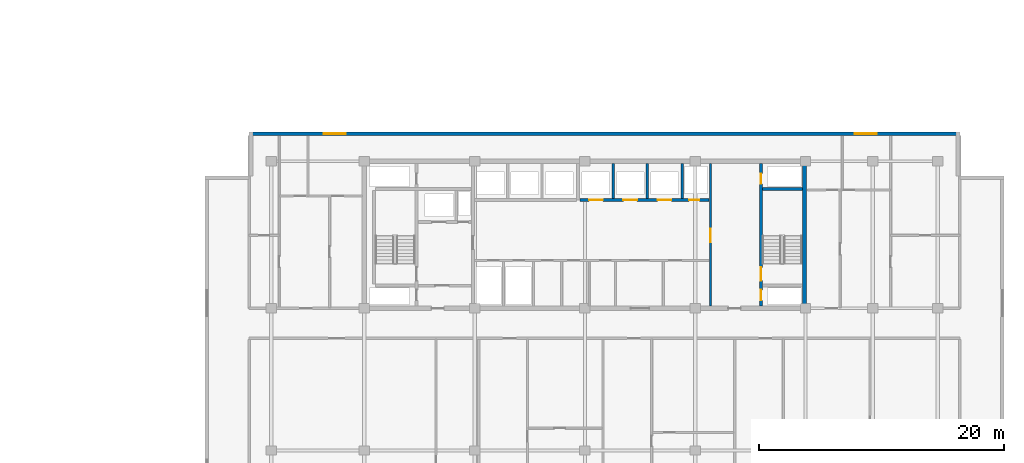
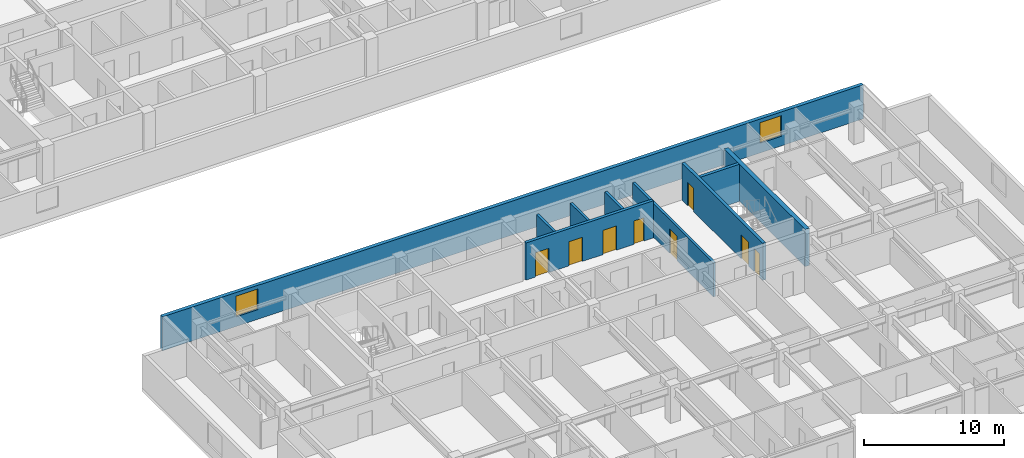
# One storey, part 7 of 21: 9 walls, 8 doors, 2 windows, 10 openings.
"""IFC4 building model written with IfcOpenShell, lengths in metres."""

from ifc_helpers import new_model, si_unit, direction, frame, frame_2d, origin, place, context, subcontext, project, spatial, rectangle, extrude, material, layer, layer_set, type_object, element, fill, save


model = new_model("IFC4")

# Units and contexts
model_context = context("Model", 3, precision=1e-05, world=origin(), true_north=direction((0.0, 1.0)))
body_context = subcontext(model_context, "Body", "Model", "MODEL_VIEW")
ifc_project = project(units=[si_unit("LENGTHUNIT", "METRE"), si_unit("AREAUNIT", "SQUARE_METRE"), si_unit("VOLUMEUNIT", "CUBIC_METRE"), si_unit("PLANEANGLEUNIT", "RADIAN"), si_unit("MASSUNIT", "GRAM", prefix="KILO")], contexts=[model_context])

# Site, building, storey
site_placement = place(None, origin())
site = spatial("IfcSite", under=ifc_project, at=site_placement, CompositionType="ELEMENT")
building_placement = place(site_placement, origin())
building = spatial("IfcBuilding", under=site, at=building_placement, Name="Korimba Cascade Residences", CompositionType="ELEMENT")
storey_placement = place(building_placement, frame((0.0, 0.0, 97.050048828125)))
storey = spatial("IfcBuildingStorey", under=building, at=storey_placement, Name="L27", CompositionType="ELEMENT", Elevation=97.050048828125)

# Wall, openings, windows
ifc_material_1 = material(Name="Precast concrete C40/50", Category="concrete")
ifc_layer_1 = layer(ifc_material_1, 0.300048828125)
ifc_layer_set_1 = layer_set([ifc_layer_1], Name="Precast concrete C40/50")
wall_type_1 = type_object("IfcWallType", Name="EW-STONE-300", PredefinedType="STANDARD", material=ifc_layer_set_1)
wall_1_placement = place(storey_placement, frame((130.699951171875, 32.64990234375, 0.0), z_axis=(0.0, 0.0, 1.0), x_axis=(-1.0, 0.0, 0.0)))
wall_1 = element("IfcWall", 1, at=wall_1_placement, inside=storey, type_object=wall_type_1, Name="L27 T2 Perimeter Stone Wall E06", PredefinedType="STANDARD", context=body_context, shape_type="SweptSolid", body=[
    extrude(rectangle(XDim=58.0, YDim=0.300048828125, at=frame_2d((29.0, 0.0))), origin(), (0.0, 0.0, 1.0), 2.969970703125),
])
opening_1_placement = place(wall_1_placement, frame((50.125, 0.0, 0.85009765625)))
opening_1 = element("IfcOpeningElement", 2, at=opening_1_placement, cuts=wall_1, Name="Opening W-02", PredefinedType="OPENING", context=body_context, shape_type="SweptSolid", body=[
    extrude(rectangle(XDim=1.800048828125, YDim=1.800048828125, at=frame_2d((0.89990234375, 0.89990234375))), frame((0.0, 0.16015625, 0.0), z_axis=(0.0, -1.0, 0.0), x_axis=(1.0, 0.0, 0.0)), (0.0, 0.0, 1.0), 0.320068359375),
])
opening_2_placement = place(wall_1_placement, frame((6.77490234375, 0.0, 0.85009765625)))
opening_2 = element("IfcOpeningElement", 3, at=opening_2_placement, cuts=wall_1, Name="Opening W-02", PredefinedType="OPENING", context=body_context, shape_type="SweptSolid", body=[
    extrude(rectangle(XDim=1.800048828125, YDim=1.800048828125, at=frame_2d((0.89990234375, 0.89990234375))), frame((0.0, 0.16015625, 0.0), z_axis=(0.0, -1.0, 0.0), x_axis=(1.0, 0.0, 0.0)), (0.0, 0.0, 1.0), 0.320068359375),
])
ifc_material_2 = material(Name="Double-Glazed Aluminium Window", Category="aluminium")
window_type = type_object("IfcWindowType", Name="WIN-BED-1800", PartitioningType="SINGLE_PANEL", PredefinedType="WINDOW", material=ifc_material_2)
window_1_placement = place(opening_1_placement, origin())
window_1 = element("IfcWindow", 4, at=window_1_placement, inside=storey, type_object=window_type, Name="L27 T2 North Corner Bedroom Window 1", OverallHeight=1.800048828125, OverallWidth=1.800048828125, PartitioningType="SINGLE_PANEL", PredefinedType="WINDOW", context=body_context, shape_type="SweptSolid", body=[
    extrude(rectangle(XDim=1.800048828125, YDim=1.800048828125, at=frame_2d((0.89990234375, 0.89990234375))), frame((0.0, 0.030029296875, 0.0), z_axis=(0.0, -1.0, 0.0), x_axis=(1.0, 0.0, 0.0)), (0.0, 0.0, 1.0), 0.06005859375),
])
fill(opening_1, window_1)
window_2_placement = place(opening_2_placement, origin())
window_2 = element("IfcWindow", 5, at=window_2_placement, inside=storey, type_object=window_type, Name="L27 T2 North Corner Bedroom Window 2", OverallHeight=1.800048828125, OverallWidth=1.800048828125, PartitioningType="SINGLE_PANEL", PredefinedType="WINDOW", context=body_context, shape_type="SweptSolid", body=[
    extrude(rectangle(XDim=1.800048828125, YDim=1.800048828125, at=frame_2d((0.89990234375, 0.89990234375))), frame((0.0, 0.030029296875, 0.0), z_axis=(0.0, -1.0, 0.0), x_axis=(1.0, 0.0, 0.0)), (0.0, 0.0, 1.0), 0.06005859375),
])
fill(opening_2, window_2)

# Walls
ifc_material_3 = material(Name="Concrete C65/80", Category="concrete")
ifc_layer_2 = layer(ifc_material_3, 0.35009765625)
ifc_layer_set_2 = layer_set([ifc_layer_2], Name="Concrete C65/80")
wall_type_2 = type_object("IfcWallType", Name="WAL-CORE-350", PredefinedType="SHEAR", material=ifc_layer_set_2)
wall_2_placement = place(storey_placement, frame((118.014892578125, 18.574951171875, 0.0), z_axis=(0.0, 0.0, 1.0), x_axis=(0.0, 1.0, 0.0)))
element("IfcWall", 6, at=wall_2_placement, inside=storey, type_object=wall_type_2, Name="L27 Core Shear Wall CW-L27-T2-E", PredefinedType="SHEAR", context=body_context, shape_type="SweptSolid", body=[
    extrude(rectangle(XDim=11.650146484375, YDim=0.35009765625, at=frame_2d((5.8251953125, 0.0))), origin(), (0.0, 0.0, 1.0), 3.25),
])
ifc_material_4 = material(Name="Concrete C40/50", Category="concrete")
ifc_layer_3 = layer(ifc_material_4, 0.199951171875)
ifc_layer_set_3 = layer_set([ifc_layer_3], Name="Concrete C40/50")
wall_type_3 = type_object("IfcWallType", Name="WAL-PART-200", PredefinedType="PARTITIONING", material=ifc_layer_set_3)
for number, where, z_axis, x_axis, name in (
    (7, (102.39990234375, 27.3798828125, 0.0), (0.0, 0.0, 1.0), (0.0, 1.0, 0.0), "L27 Partition Wall CW-L27-T2-B2D1"),
    (8, (105.199951171875, 27.3798828125, 0.0), (0.0, 0.0, 1.0), (0.0, 1.0, 0.0), "L27 Partition Wall CW-L27-T2-B2D2"),
    (9, (108.050048828125, 27.3798828125, 0.0), (0.0, 0.0, 1.0), (0.0, 1.0, 0.0), "L27 Partition Wall CW-L27-T2-B2D3"),
):
    element("IfcWall", number, at=place(storey_placement, frame(where, z_axis=z_axis, x_axis=x_axis)), inside=storey, type_object=wall_type_3, Name=name, PredefinedType="PARTITIONING", context=body_context, shape_type="SweptSolid", body=[
        extrude(rectangle(XDim=2.820068359375, YDim=0.199951171875, at=frame_2d((1.41015625, 0.0))), origin(), (0.0, 0.0, 1.0), 2.969970703125),
    ])

# Wall, opening, door
wall_3_placement = place(storey_placement, frame((110.35009765625, 18.60009765625, 0.0), z_axis=(0.0, 0.0, 1.0), x_axis=(0.0, 1.0, 0.0)))
wall_3 = element("IfcWall", 10, at=wall_3_placement, inside=storey, type_object=wall_type_3, Name="L27 Partition Wall CW-L27-T2-LLEV", PredefinedType="PARTITIONING", context=body_context, shape_type="SweptSolid", body=[
    extrude(rectangle(XDim=11.599853515625, YDim=0.199951171875, at=frame_2d((5.7998046875, 0.0))), origin(), (0.0, 0.0, 1.0), 2.969970703125),
])
opening_3_placement = place(wall_3_placement, frame((5.199951171875, 0.0, 0.0)))
opening_3 = element("IfcOpeningElement", 11, at=opening_3_placement, cuts=wall_3, Name="Opening D-FD6", PredefinedType="OPENING", context=body_context, shape_type="SweptSolid", body=[
    extrude(rectangle(XDim=1.10009765625, YDim=2.14990234375, at=frame_2d((0.550048828125, 1.074951171875))), frame((0.0, 0.10986328125, 0.0), z_axis=(0.0, -1.0, 0.0), x_axis=(1.0, 0.0, 0.0)), (0.0, 0.0, 1.0), 0.219970703125),
])
ifc_material_5 = material(Name="Fire-Rated Timber Stair Lobby Door", Category="wood")
door_type_1 = type_object("IfcDoorType", Name="DR-FD90-1100", OperationType="NOTDEFINED", PredefinedType="DOOR", material=ifc_material_5)
door_1_placement = place(opening_3_placement, origin())
door_1 = element("IfcDoor", 12, at=door_1_placement, inside=storey, type_object=door_type_1, Name="L27 T2 Lift Lobby to East Stair Lobby Door", OperationType="SINGLE_SWING_RIGHT", OverallHeight=2.14990234375, OverallWidth=1.10009765625, PredefinedType="DOOR", context=body_context, shape_type="SweptSolid", body=[
    extrude(rectangle(XDim=1.10009765625, YDim=2.14990234375, at=frame_2d((0.550048828125, 1.074951171875))), frame((0.0, 0.02490234375, 0.0), z_axis=(0.0, -1.0, 0.0), x_axis=(1.0, 0.0, 0.0)), (0.0, 0.0, 1.0), 0.050048828125),
])
fill(opening_3, door_1)

# Wall, openings, doors
ifc_material_6 = material(Name="Concrete C50/60", Category="concrete")
ifc_layer_4 = layer(ifc_material_6, 0.25)
ifc_layer_set_4 = layer_set([ifc_layer_4], Name="Concrete C50/60")
wall_type_4 = type_object("IfcWallType", Name="WAL-SHAFT-250", PredefinedType="SHEAR", material=ifc_layer_set_4)
wall_4_placement = place(storey_placement, frame((99.679931640625, 27.25, 0.0), z_axis=(0.0, 0.0, 1.0), x_axis=(1.0, 0.0, 0.0)))
wall_4 = element("IfcWall", 13, at=wall_4_placement, inside=storey, type_object=wall_type_4, Name="L27 Core Shear Wall CW-L27-T2-B2S", PredefinedType="SHEAR", context=body_context, shape_type="SweptSolid", body=[
    extrude(rectangle(XDim=10.5400390625, YDim=0.25, at=frame_2d((5.27001953125, 0.0))), origin(), (0.0, 0.0, 1.0), 3.25),
])
opening_4_placement = place(wall_4_placement, frame((0.760009765625, 0.0, 0.0)))
opening_4 = element("IfcOpeningElement", 14, at=opening_4_placement, cuts=wall_4, Name="Opening LD-01", PredefinedType="OPENING", context=body_context, shape_type="SweptSolid", body=[
    extrude(rectangle(XDim=1.1201171875, YDim=2.1201171875, at=frame_2d((0.56005859375, 1.06005859375))), frame((0.0, 0.135009765625, 0.0), z_axis=(0.0, -1.0, 0.0), x_axis=(1.0, 0.0, 0.0)), (0.0, 0.0, 1.0), 0.27001953125),
])
opening_5_placement = place(wall_4_placement, frame((3.56005859375, 0.0, 0.0)))
opening_5 = element("IfcOpeningElement", 15, at=opening_5_placement, cuts=wall_4, Name="Opening LD-01", PredefinedType="OPENING", context=body_context, shape_type="SweptSolid", body=[
    extrude(rectangle(XDim=1.1201171875, YDim=2.1201171875, at=frame_2d((0.56005859375, 1.06005859375))), frame((0.0, 0.135009765625, 0.0), z_axis=(0.0, -1.0, 0.0), x_axis=(1.0, 0.0, 0.0)), (0.0, 0.0, 1.0), 0.27001953125),
])
opening_6_placement = place(wall_4_placement, frame((6.360107421875, 0.0, 0.0)))
opening_6 = element("IfcOpeningElement", 16, at=opening_6_placement, cuts=wall_4, Name="Opening LD-01", PredefinedType="OPENING", context=body_context, shape_type="SweptSolid", body=[
    extrude(rectangle(XDim=1.1201171875, YDim=2.1201171875, at=frame_2d((0.56005859375, 1.06005859375))), frame((0.0, 0.135009765625, 0.0), z_axis=(0.0, -1.0, 0.0), x_axis=(1.0, 0.0, 0.0)), (0.0, 0.0, 1.0), 0.27001953125),
])
opening_7_placement = place(wall_4_placement, frame((8.919921875, 0.0, 0.0)))
opening_7 = element("IfcOpeningElement", 17, at=opening_7_placement, cuts=wall_4, Name="Opening D-RS1", PredefinedType="OPENING", context=body_context, shape_type="SweptSolid", body=[
    extrude(rectangle(XDim=0.85009765625, YDim=2.050048828125, at=frame_2d((0.425048828125, 1.02490234375))), frame((0.0, 0.135009765625, 0.0), z_axis=(0.0, -1.0, 0.0), x_axis=(1.0, 0.0, 0.0)), (0.0, 0.0, 1.0), 0.27001953125),
])
ifc_material_7 = material(Name="Fire-Rated Steel Riser Access Door", Category="steel")
door_type_2 = type_object("IfcDoorType", Name="DR-FD60-850", OperationType="NOTDEFINED", PredefinedType="DOOR", material=ifc_material_7)
door_2_placement = place(opening_7_placement, origin())
door_2 = element("IfcDoor", 18, at=door_2_placement, inside=storey, type_object=door_type_2, Name="L27 T2 Duct Door", OperationType="SINGLE_SWING_LEFT", OverallHeight=2.050048828125, OverallWidth=0.85009765625, PredefinedType="DOOR", context=body_context, shape_type="SweptSolid", body=[
    extrude(rectangle(XDim=0.85009765625, YDim=2.050048828125, at=frame_2d((0.425048828125, 1.02490234375))), frame((0.0, 0.02490234375, 0.0), z_axis=(0.0, -1.0, 0.0), x_axis=(1.0, 0.0, 0.0)), (0.0, 0.0, 1.0), 0.050048828125),
])
fill(opening_7, door_2)
ifc_material_8 = material(Name="Stainless Steel Lift Landing Sliding Door", Category="steel")
door_type_3 = type_object("IfcDoorType", Name="DR-LIFT-1100", OperationType="NOTDEFINED", PredefinedType="DOOR", material=ifc_material_8)
door_3_placement = place(opening_4_placement, origin())
door_3 = element("IfcDoor", 19, at=door_3_placement, inside=storey, type_object=door_type_3, Name="L27 Lift Landing Door PL-E4", OperationType="SLIDING_TO_RIGHT", OverallHeight=2.1201171875, OverallWidth=1.1201171875, PredefinedType="DOOR", context=body_context, shape_type="SweptSolid", body=[
    extrude(rectangle(XDim=1.1201171875, YDim=2.1201171875, at=frame_2d((0.56005859375, 1.06005859375))), frame((0.0, 0.02490234375, 0.0), z_axis=(0.0, -1.0, 0.0), x_axis=(1.0, 0.0, 0.0)), (0.0, 0.0, 1.0), 0.050048828125),
])
fill(opening_4, door_3)
door_4_placement = place(opening_5_placement, origin())
door_4 = element("IfcDoor", 20, at=door_4_placement, inside=storey, type_object=door_type_3, Name="L27 Lift Landing Door PL-E5", OperationType="SLIDING_TO_RIGHT", OverallHeight=2.1201171875, OverallWidth=1.1201171875, PredefinedType="DOOR", context=body_context, shape_type="SweptSolid", body=[
    extrude(rectangle(XDim=1.1201171875, YDim=2.1201171875, at=frame_2d((0.56005859375, 1.06005859375))), frame((0.0, 0.02490234375, 0.0), z_axis=(0.0, -1.0, 0.0), x_axis=(1.0, 0.0, 0.0)), (0.0, 0.0, 1.0), 0.050048828125),
])
fill(opening_5, door_4)
door_5_placement = place(opening_6_placement, origin())
door_5 = element("IfcDoor", 21, at=door_5_placement, inside=storey, type_object=door_type_3, Name="L27 Lift Landing Door PL-E6", OperationType="SLIDING_TO_RIGHT", OverallHeight=2.1201171875, OverallWidth=1.1201171875, PredefinedType="DOOR", context=body_context, shape_type="SweptSolid", body=[
    extrude(rectangle(XDim=1.1201171875, YDim=2.1201171875, at=frame_2d((0.56005859375, 1.06005859375))), frame((0.0, 0.02490234375, 0.0), z_axis=(0.0, -1.0, 0.0), x_axis=(1.0, 0.0, 0.0)), (0.0, 0.0, 1.0), 0.050048828125),
])
fill(opening_6, door_5)

wall_5_placement = place(storey_placement, frame((114.47509765625, 18.60009765625, 0.0), z_axis=(0.0, 0.0, 1.0), x_axis=(0.0, 1.0, 0.0)))
wall_5 = element("IfcWall", 22, at=wall_5_placement, inside=storey, type_object=wall_type_4, Name="L27 Core Shear Wall CW-L27-T2-STE2W", PredefinedType="SHEAR", context=body_context, shape_type="SweptSolid", body=[
    extrude(rectangle(XDim=11.599853515625, YDim=0.25, at=frame_2d((5.7998046875, 0.0))), origin(), (0.0, 0.0, 1.0), 3.25),
])
opening_8_placement = place(wall_5_placement, frame((0.449951171875, 0.0, 0.0)))
opening_8 = element("IfcOpeningElement", 23, at=opening_8_placement, cuts=wall_5, Name="Opening D-RS1", PredefinedType="OPENING", context=body_context, shape_type="SweptSolid", body=[
    extrude(rectangle(XDim=0.85009765625, YDim=2.050048828125, at=frame_2d((0.425048828125, 1.02490234375))), frame((0.0, 0.135009765625, 0.0), z_axis=(0.0, -1.0, 0.0), x_axis=(1.0, 0.0, 0.0)), (0.0, 0.0, 1.0), 0.27001953125),
])
opening_9_placement = place(wall_5_placement, frame((2.050048828125, 0.0, 0.0)))
opening_9 = element("IfcOpeningElement", 24, at=opening_9_placement, cuts=wall_5, Name="Opening D-FD1", PredefinedType="OPENING", context=body_context, shape_type="SweptSolid", body=[
    extrude(rectangle(XDim=1.10009765625, YDim=2.10009765625, at=frame_2d((0.550048828125, 1.050048828125))), frame((0.0, 0.135009765625, 0.0), z_axis=(0.0, -1.0, 0.0), x_axis=(1.0, 0.0, 0.0)), (0.0, 0.0, 1.0), 0.27001953125),
])
opening_10_placement = place(wall_5_placement, frame((9.949951171875, 0.0, 0.0)))
opening_10 = element("IfcOpeningElement", 25, at=opening_10_placement, cuts=wall_5, Name="Opening D-RS1", PredefinedType="OPENING", context=body_context, shape_type="SweptSolid", body=[
    extrude(rectangle(XDim=0.85009765625, YDim=2.050048828125, at=frame_2d((0.425048828125, 1.02490234375))), frame((0.0, 0.135009765625, 0.0), z_axis=(0.0, -1.0, 0.0), x_axis=(1.0, 0.0, 0.0)), (0.0, 0.0, 1.0), 0.27001953125),
])
ifc_material_9 = material(Name="Fire-Rated Steel Core Door", Category="steel")
door_type_4 = type_object("IfcDoorType", Name="DR-FD120-1100", OperationType="NOTDEFINED", PredefinedType="DOOR", material=ifc_material_9)
door_6_placement = place(opening_9_placement, origin())
door_6 = element("IfcDoor", 26, at=door_6_placement, inside=storey, type_object=door_type_4, Name="L27 Fire Stair ST-E2 Door", OperationType="SINGLE_SWING_RIGHT", OverallHeight=2.10009765625, OverallWidth=1.10009765625, PredefinedType="DOOR", context=body_context, shape_type="SweptSolid", body=[
    extrude(rectangle(XDim=1.10009765625, YDim=2.10009765625, at=frame_2d((0.550048828125, 1.050048828125))), frame((0.0, 0.02490234375, 0.0), z_axis=(0.0, -1.0, 0.0), x_axis=(1.0, 0.0, 0.0)), (0.0, 0.0, 1.0), 0.050048828125),
])
fill(opening_9, door_6)
door_7_placement = place(opening_8_placement, origin())
door_7 = element("IfcDoor", 27, at=door_7_placement, inside=storey, type_object=door_type_2, Name="L27 T2 East Hydrant Door", OperationType="SINGLE_SWING_LEFT", OverallHeight=2.050048828125, OverallWidth=0.85009765625, PredefinedType="DOOR", context=body_context, shape_type="SweptSolid", body=[
    extrude(rectangle(XDim=0.85009765625, YDim=2.050048828125, at=frame_2d((0.425048828125, 1.02490234375))), frame((0.0, 0.02490234375, 0.0), z_axis=(0.0, -1.0, 0.0), x_axis=(1.0, 0.0, 0.0)), (0.0, 0.0, 1.0), 0.050048828125),
])
fill(opening_8, door_7)
door_8_placement = place(opening_10_placement, origin())
door_8 = element("IfcDoor", 28, at=door_8_placement, inside=storey, type_object=door_type_2, Name="L27 T2 East Riser Door", OperationType="SINGLE_SWING_LEFT", OverallHeight=2.050048828125, OverallWidth=0.85009765625, PredefinedType="DOOR", context=body_context, shape_type="SweptSolid", body=[
    extrude(rectangle(XDim=0.85009765625, YDim=2.050048828125, at=frame_2d((0.425048828125, 1.02490234375))), frame((0.0, 0.02490234375, 0.0), z_axis=(0.0, -1.0, 0.0), x_axis=(1.0, 0.0, 0.0)), (0.0, 0.0, 1.0), 0.050048828125),
])
fill(opening_10, door_8)

# Wall
wall_6_placement = place(storey_placement, frame((114.60009765625, 28.125, 0.0), z_axis=(0.0, 0.0, 1.0), x_axis=(1.0, 0.0, 0.0)))
element("IfcWall", 29, at=wall_6_placement, inside=storey, type_object=wall_type_4, Name="L27 Core Shear Wall CW-L27-T2-STE2N", PredefinedType="SHEAR", context=body_context, shape_type="SweptSolid", body=[
    extrude(rectangle(XDim=3.239990234375, YDim=0.25, at=frame_2d((1.6201171875, 0.0))), origin(), (0.0, 0.0, 1.0), 3.25),
])

save(model, "model.ifc")
